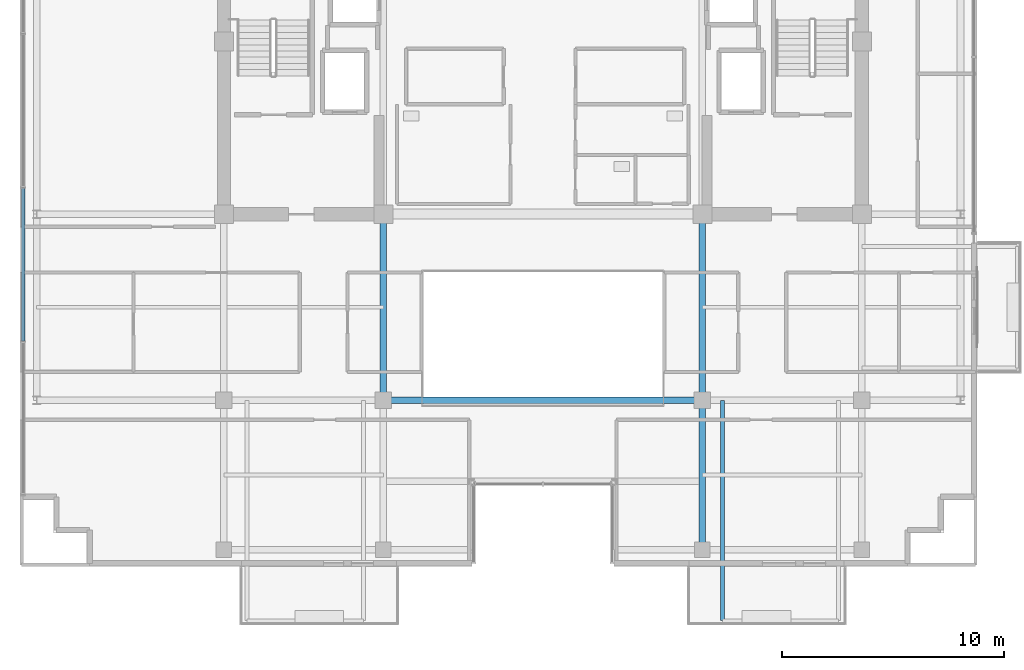
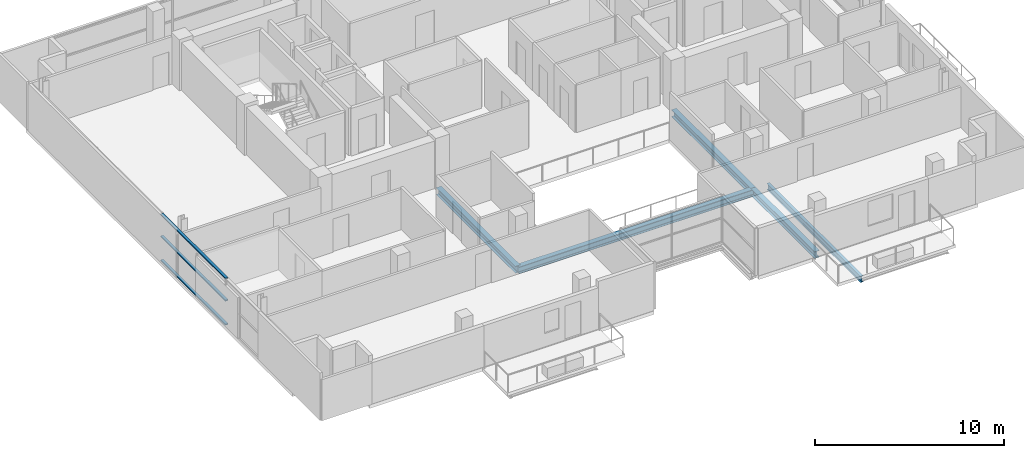
# One storey, part 8 of 23: 5 beams, 3 members, 1 element without a shape of its own.
"""IFC4 building model written with IfcOpenShell, lengths in metres."""

from ifc_helpers import new_model, si_unit, direction, frame, origin, origin_2d, place, context, subcontext, project, spatial, hollow_rectangle, i_section, extrude, source, transform, mapped, material, layer, layer_set, material_profile, profile_set, type_object, element, aggregate, save


model = new_model("IFC4")

# Units and contexts
model_context = context("Model", 3, precision=1e-05, world=origin(), true_north=direction((0.0, 1.0)))
body_context = subcontext(model_context, "Body", "Model", "MODEL_VIEW")
ifc_project = project(units=[si_unit("LENGTHUNIT", "METRE"), si_unit("AREAUNIT", "SQUARE_METRE"), si_unit("VOLUMEUNIT", "CUBIC_METRE"), si_unit("PLANEANGLEUNIT", "RADIAN"), si_unit("MASSUNIT", "GRAM", prefix="KILO")], contexts=[model_context])

# Site, building, storey
site_placement = place(None, origin())
site = spatial("IfcSite", under=ifc_project, at=site_placement, CompositionType="ELEMENT")
building_placement = place(site_placement, origin())
building = spatial("IfcBuilding", under=site, at=building_placement, Name="Zarnakvel Exchange Tower", CompositionType="ELEMENT")
storey_placement = place(building_placement, frame((0.0, 0.0, 218.800048828125)))
storey = spatial("IfcBuildingStorey", under=building, at=storey_placement, Name="L61", CompositionType="ELEMENT", Elevation=218.800048828125)

# Beams
ifc_material_1 = material(Name="Steel S355", Category="steel")
ifc_material_profile_1 = material_profile(ifc_material_1, i_section(OverallWidth=0.179931640625, OverallDepth=0.39990234375, WebThickness=0.008544921875, FlangeThickness=0.013427734375, FilletRadius=0.02099609375, at=origin_2d()))
ifc_profile_set_1 = profile_set([ifc_material_profile_1], Name="Steel S355")
beam_type_1 = type_object("IfcBeamType", Name="B-06", PredefinedType="JOIST", material=ifc_profile_set_1)
beam_1_placement = place(storey_placement, frame((8.10009765625, -9.60009765625, -0.425048828125), z_axis=(0.0, -1.0, 0.0), x_axis=(1.0, 0.0, 0.0)))
element("IfcBeam", 1, at=beam_1_placement, inside=storey, type_object=beam_type_1, Name="L61 Continuous Back-Spanned Balcony Beam W", PredefinedType="JOIST", context=body_context, shape_type="SweptSolid", body=[
    extrude(i_section(OverallWidth=0.179931640625, OverallDepth=0.39990234375, WebThickness=0.008544921875, FlangeThickness=0.013427734375, FilletRadius=0.02099609375, at=origin_2d()), origin(), (0.0, 0.0, 1.0), 9.949951171875),
])
ifc_material_profile_2 = material_profile(ifc_material_1, i_section(OverallWidth=0.300048828125, OverallDepth=0.449951171875, WebThickness=0.013916015625, FlangeThickness=0.02587890625, FilletRadius=0.027099609375, at=origin_2d()))
ifc_profile_set_2 = profile_set([ifc_material_profile_2], Name="Steel S355")
beam_type_2 = type_object("IfcBeamType", Name="G-07", PredefinedType="BEAM", material=ifc_profile_set_2)
beam_2_placement = place(storey_placement, frame((-7.199951171875, -9.60009765625, -0.449951171875), z_axis=(1.0, 0.0, 0.0), x_axis=(0.0, 1.0, 0.0)))
element("IfcBeam", 2, at=beam_2_placement, inside=storey, type_object=beam_type_2, Name="L61 Tower E-W Frame Beam", PredefinedType="BEAM", context=body_context, shape_type="SweptSolid", body=[
    extrude(i_section(OverallWidth=0.300048828125, OverallDepth=0.449951171875, WebThickness=0.013916015625, FlangeThickness=0.02587890625, FilletRadius=0.027099609375, at=origin_2d()), origin(), (0.0, 0.0, 1.0), 14.39990234375),
])
beam_3_placement = place(storey_placement, frame((-7.199951171875, -9.60009765625, -0.449951171875), z_axis=(0.0, 1.0, 0.0), x_axis=(-1.0, 0.0, 0.0)))
element("IfcBeam", 3, at=beam_3_placement, inside=storey, type_object=beam_type_2, Name="L61 Tower N-S Frame Beam", PredefinedType="BEAM", context=body_context, shape_type="SweptSolid", body=[
    extrude(i_section(OverallWidth=0.300048828125, OverallDepth=0.449951171875, WebThickness=0.013916015625, FlangeThickness=0.02587890625, FilletRadius=0.027099609375, at=origin_2d()), origin(), (0.0, 0.0, 1.0), 8.400146484375),
])
beam_4_placement = place(storey_placement, frame((7.199951171875, -16.35009765625, -0.449951171875), z_axis=(0.0, 1.0, 0.0), x_axis=(-1.0, 0.0, 0.0)))
element("IfcBeam", 4, at=beam_4_placement, inside=storey, type_object=beam_type_2, Name="L61 Tower N-S Frame Beam", PredefinedType="BEAM", context=body_context, shape_type="SweptSolid", body=[
    extrude(i_section(OverallWidth=0.300048828125, OverallDepth=0.449951171875, WebThickness=0.013916015625, FlangeThickness=0.02587890625, FilletRadius=0.027099609375, at=origin_2d()), origin(), (0.0, 0.0, 1.0), 6.75),
])
beam_5_placement = place(storey_placement, frame((7.199951171875, -9.60009765625, -0.449951171875), z_axis=(0.0, 1.0, 0.0), x_axis=(-1.0, 0.0, 0.0)))
element("IfcBeam", 5, at=beam_5_placement, inside=storey, type_object=beam_type_2, Name="L61 Tower N-S Frame Beam", PredefinedType="BEAM", context=body_context, shape_type="SweptSolid", body=[
    extrude(i_section(OverallWidth=0.300048828125, OverallDepth=0.449951171875, WebThickness=0.013916015625, FlangeThickness=0.02587890625, FilletRadius=0.027099609375, at=origin_2d()), origin(), (0.0, 0.0, 1.0), 8.400146484375),
])

# Curtain wall, members
ifc_material_2 = material(Name="Architectural Bronze Anodised Aluminium", Category="aluminium")
ifc_layer = layer(ifc_material_2, 0.199951171875)
ifc_layer_set = layer_set([ifc_layer], Name="Architectural Bronze Anodised Aluminium")
curtain_wall_type = type_object("IfcCurtainWallType", Name="CW-04", PredefinedType="NOTDEFINED", material=ifc_layer_set)
curtain_wall_placement = place(storey_placement, origin())
curtain_wall = element("IfcCurtainWall", 6, at=curtain_wall_placement, inside=storey, type_object=curtain_wall_type, Name="L61 Curtain Wall CW-L61-W1 (CW-04)", PredefinedType="NOTDEFINED")
ifc_material_profile_3 = material_profile(ifc_material_2, hollow_rectangle(XDim=0.159912109375, YDim=0.074951171875, WallThickness=0.00390625, at=origin_2d()))
ifc_profile_set_3 = profile_set([ifc_material_profile_3], Name="Architectural Bronze Anodised Aluminium")
member_type = type_object("IfcMemberType", Name="CWT-04", PredefinedType="USERDEFINED", material=ifc_profile_set_3)
shared_shape = source(origin(), body_context, "Body", "SweptSolid", [
    extrude(hollow_rectangle(XDim=0.159912109375, YDim=0.074951171875, WallThickness=0.00390625, at=origin_2d()), origin(), (0.0, 0.0, 1.0), 6.875),
])
member_1_placement = place(storey_placement, frame((-23.4599609375, -6.91259765625, 0.037353515625), z_axis=(0.0, 1.0, 0.0), x_axis=(-1.0, 0.0, 0.0)))
member_1 = element("IfcMember", 7, at=member_1_placement, type_object=member_type, Name="CW-04 transom 2.1", ObjectType="TRANSOM", PredefinedType="USERDEFINED", context=body_context, shape_type="MappedRepresentation", body=[
    mapped(shared_shape, transform((0.0, 0.0, 0.0), x_axis=(1.0, 0.0, 0.0), y_axis=(0.0, 1.0, 0.0), z_axis=(0.0, 0.0, 1.0), scale=1.0)),
])
member_2_placement = place(storey_placement, frame((-23.4599609375, -6.91259765625, 1.588623046875), z_axis=(0.0, 1.0, 0.0), x_axis=(-1.0, 0.0, 0.0)))
member_2 = element("IfcMember", 8, at=member_2_placement, type_object=member_type, Name="CW-04 transom 2.2", ObjectType="TRANSOM", PredefinedType="USERDEFINED", context=body_context, shape_type="MappedRepresentation", body=[
    mapped(shared_shape, transform((0.0, 0.0, 0.0), x_axis=(1.0, 0.0, 0.0), y_axis=(0.0, 1.0, 0.0), z_axis=(0.0, 0.0, 1.0), scale=1.0)),
])
member_3_placement = place(storey_placement, frame((-23.4599609375, -6.91259765625, 3.017333984375), z_axis=(0.0, 1.0, 0.0), x_axis=(-1.0, 0.0, 0.0)))
member_3 = element("IfcMember", 9, at=member_3_placement, type_object=member_type, Name="CW-04 transom 2.3", ObjectType="TRANSOM", PredefinedType="USERDEFINED", context=body_context, shape_type="MappedRepresentation", body=[
    mapped(shared_shape, transform((0.0, 0.0, 0.0), x_axis=(1.0, 0.0, 0.0), y_axis=(0.0, 1.0, 0.0), z_axis=(0.0, 0.0, 1.0), scale=1.0)),
])
aggregate(curtain_wall, [member_1, member_2, member_3])

save(model, "model.ifc")
